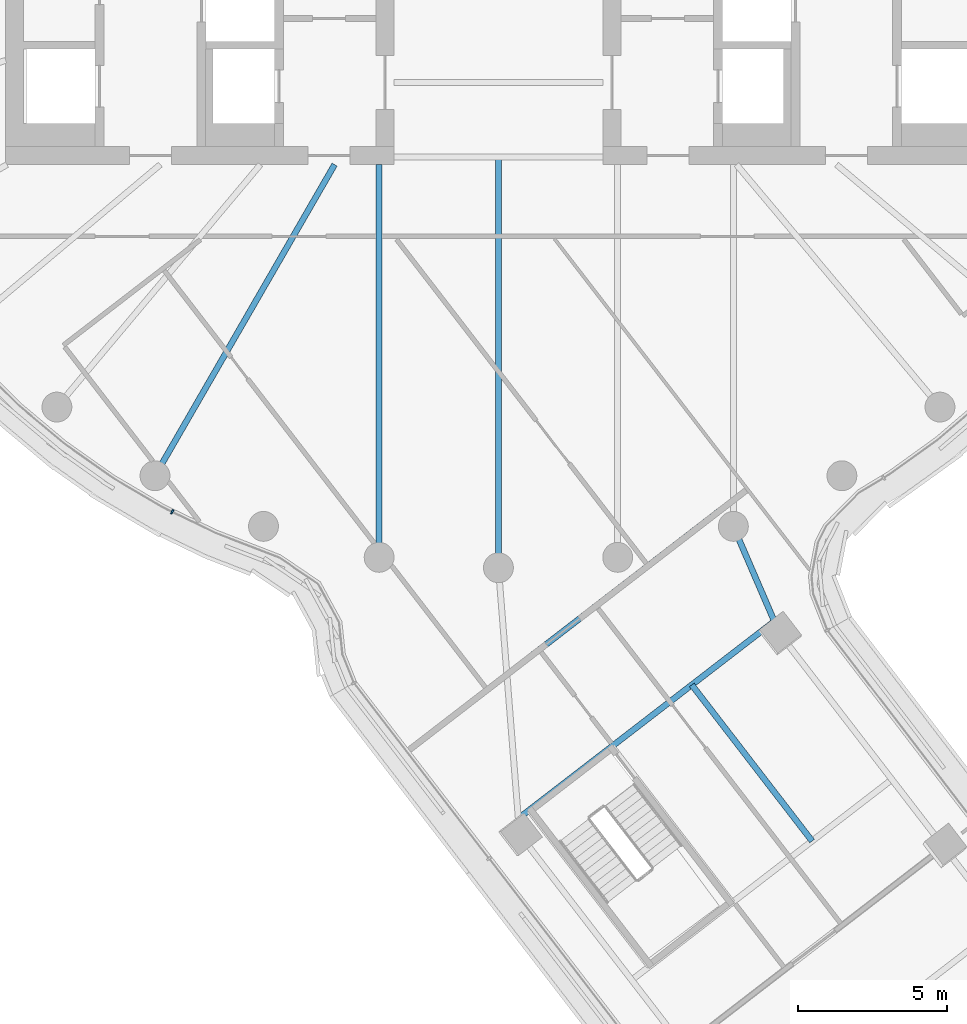
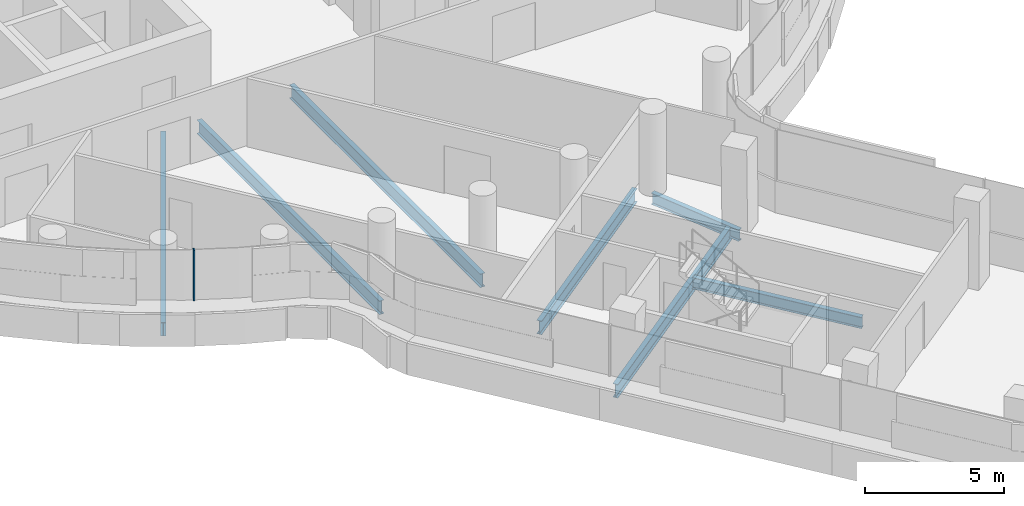
# One storey, part 6 of 33: 7 beams, 1 member, 1 element without a shape of its own.
"""IFC4 building model written with IfcOpenShell, lengths in metres."""

import ifcopenshell
import ifcopenshell.guid

model = None  # the IFC model being written
_history = None  # IfcOwnerHistory: only IFC2X3 demands one
_inside = {}  # id of a spatial element -> (the spatial element, [elements in it])
_under = {}  # id of a project, library or spatial element -> (it, [spatial elements below it])
_declared = {}  # id of a project -> (the project, [libraries it declares])
_typed = {}  # id of a type object -> (the type object, [elements of that type])
_made_of = {}  # id of a material, layer set ... -> (it, [elements and type objects made of it])


def new_model(schema):
    """Start an empty IFC model of exactly this schema.

    Asked for "IFC4X3", IfcOpenShell would pick the latest addendum, in which some entities
    have other attributes; the version numbers below select the first issue.
    IFC2X3 requires an IfcOwnerHistory on every rooted entity: one is made here for all.
    """
    global model, _history
    if schema == "IFC4X3":
        model = ifcopenshell.file(schema_version=(4, 3, 0, 0))
    else:
        model = ifcopenshell.file(schema=schema)
    _inside.clear()
    _under.clear()
    _declared.clear()
    _typed.clear()
    _made_of.clear()
    _history = None
    if model.schema == "IFC2X3":
        org = make("IfcOrganization", Name="unknown")
        user = make(
            "IfcPersonAndOrganization",
            ThePerson=make("IfcPerson", FamilyName="unknown"),
            TheOrganization=org,
        )
        app = make(
            "IfcApplication",
            ApplicationDeveloper=org,
            Version="unknown",
            ApplicationFullName="unknown",
            ApplicationIdentifier="unknown",
        )
        _history = make(
            "IfcOwnerHistory",
            OwningUser=user,
            OwningApplication=app,
            ChangeAction="ADDED",
            CreationDate=0,
        )
    return model


def make(cls, **values):
    """One entity of the class cls with the attributes given. An attribute that is None is left unset."""
    return model.create_entity(
        cls, **{name: value for name, value in values.items() if value is not None}
    )


def rooted(cls, **values):
    """An entity with a GlobalId (a new one), such as an element, a storey or a relation."""
    return make(cls, GlobalId=ifcopenshell.guid.new(), OwnerHistory=_history, **values)


def si_unit(unit_type, name, prefix=None):
    """IfcSIUnit, for example si_unit("LENGTHUNIT", "METRE", prefix="MILLI")."""
    return make("IfcSIUnit", UnitType=unit_type, Prefix=prefix, Name=name)


def assignment(units):
    """IfcUnitAssignment: the units of a project."""
    return None if units is None else make("IfcUnitAssignment", Units=units)


def point(xyz):
    """IfcCartesianPoint."""
    return None if xyz is None else make("IfcCartesianPoint", Coordinates=xyz)


def direction(xyz):
    """IfcDirection."""
    return None if xyz is None else make("IfcDirection", DirectionRatios=xyz)


def frame(location, z_axis=None, x_axis=None):
    """IfcAxis2Placement3D, a coordinate frame: its origin and axes. An axis left out is left unset."""
    return make(
        "IfcAxis2Placement3D",
        Location=point(location),
        Axis=direction(z_axis),
        RefDirection=direction(x_axis),
    )


def frame_2d(location, x_axis=None):
    """IfcAxis2Placement2D, a coordinate frame in the plane: its origin and x axis."""
    return make(
        "IfcAxis2Placement2D", Location=point(location), RefDirection=direction(x_axis)
    )


def origin():
    """The frame at (0, 0, 0) with its axes left unset."""
    return frame((0.0, 0.0, 0.0))


def origin_2d():
    """The frame at (0, 0) in the plane with its x axis left unset."""
    return frame_2d((0.0, 0.0))


def place(relative_to, where):
    """IfcLocalPlacement: puts the frame where relative to a parent placement (None: the world)."""
    return make(
        "IfcLocalPlacement", PlacementRelTo=relative_to, RelativePlacement=where
    )


def context(
    kind, dimensions, precision=None, world=None, true_north=None, identifier=None
):
    """IfcGeometricRepresentationContext, for example the 3D "Model" context."""
    return make(
        "IfcGeometricRepresentationContext",
        ContextIdentifier=identifier,
        ContextType=kind,
        CoordinateSpaceDimension=dimensions,
        Precision=precision,
        WorldCoordinateSystem=world,
        TrueNorth=true_north,
    )


def subcontext(parent, identifier, kind, view, scale=None):
    """IfcGeometricRepresentationSubContext, for example "Body" below "Model"."""
    return make(
        "IfcGeometricRepresentationSubContext",
        ContextIdentifier=identifier,
        ContextType=kind,
        ParentContext=parent,
        TargetScale=scale,
        TargetView=view,
    )


def project(units=None, contexts=None):
    """IfcProject with its units and contexts."""
    return rooted(
        "IfcProject",
        Name="project",
        RepresentationContexts=contexts,
        UnitsInContext=assignment(units),
    )


def spatial(cls, under=None, at=None, **own):
    """A site, building, storey or space (cls), placed at a placement, below another one or the project."""
    s = rooted(cls, ObjectPlacement=at, **own)
    if under is not None:
        _under.setdefault(under.id(), (under, []))[1].append(s)
    return s


def profile(cls, at=None, kind="AREA", **sizes):
    """A parametric profile (cls). Its sizes go by their IFC names, for example OverallWidth=200.0."""
    return make(cls, ProfileType=kind, Position=at, **sizes)


def rectangle(**sizes):
    """IfcRectangleProfileDef."""
    return profile("IfcRectangleProfileDef", **sizes)


def i_section(**sizes):
    """IfcIShapeProfileDef."""
    return profile("IfcIShapeProfileDef", **sizes)


def extrude(swept, where, along, depth):
    """IfcExtrudedAreaSolid: the profile swept, set in the frame where, extruded along a direction by depth."""
    return make(
        "IfcExtrudedAreaSolid",
        SweptArea=swept,
        Position=where,
        ExtrudedDirection=direction(along),
        Depth=depth,
    )


def shape(context_of_items, identifier, shape_type, items):
    """IfcShapeRepresentation: the items that make up one representation, for example the "Body"."""
    return make(
        "IfcShapeRepresentation",
        ContextOfItems=context_of_items,
        RepresentationIdentifier=identifier,
        RepresentationType=shape_type,
        Items=items,
    )


def material(Name=None, Category=None):
    """IfcMaterial."""
    return make("IfcMaterial", Name=Name, Category=Category)


def layer(
    of_material, thickness, ventilated=None, Name=None, Category=None, Priority=None
):
    """IfcMaterialLayer: one layer of a wall or slab, of a material (None: an air gap)."""
    return make(
        "IfcMaterialLayer",
        Material=of_material,
        LayerThickness=thickness,
        IsVentilated=ventilated,
        Name=Name,
        Category=Category,
        Priority=Priority,
    )


def layer_set(layers, Name=None):
    """IfcMaterialLayerSet."""
    return make("IfcMaterialLayerSet", MaterialLayers=layers, LayerSetName=Name)


def material_profile(
    of_material, cross_section, Name=None, Category=None, Priority=None
):
    """IfcMaterialProfile: a cross section and its material."""
    return make(
        "IfcMaterialProfile",
        Name=Name,
        Material=of_material,
        Profile=cross_section,
        Priority=Priority,
        Category=Category,
    )


def profile_set(profiles, Name=None, composite=None):
    """IfcMaterialProfileSet."""
    return make(
        "IfcMaterialProfileSet",
        Name=Name,
        MaterialProfiles=profiles,
        CompositeProfile=composite,
    )


def made_of(thing, what):
    """Note that an element or type object is made of a material, layer set ...; save() writes the relation."""
    if what is not None:
        _made_of.setdefault(what.id(), (what, []))[1].append(thing)
    return thing


def type_object(cls, material=None, **own):
    """A type object (cls), such as IfcWallType, which elements share."""
    return made_of(rooted(cls, **own), material)


def element(
    cls,
    number,
    at=None,
    inside=None,
    cuts=None,
    type_object=None,
    material=None,
    context=None,
    identifier="Body",
    shape_type=None,
    held_by="IfcProductDefinitionShape",
    body=None,
    shapes=None,
    **own,
):
    """One element of the class cls, such as IfcWall. Its Tag is "e" and its number.

    at: its placement. inside: the storey or other place that contains it. cuts: it is an
    opening in that element (IfcRelVoidsElement). A single representation is given by context,
    identifier, shape_type and body (its items); several are given by shapes. held_by: the class
    of the entity that holds the representations. save() writes the other relations.
    """
    e = rooted(cls, Tag="e%d" % number, ObjectPlacement=at, **own)
    if body is not None:
        shapes = [shape(context, identifier, shape_type, body)]
    if shapes is not None:
        e.Representation = make(held_by, Representations=shapes)
    if inside is not None:
        _inside.setdefault(inside.id(), (inside, []))[1].append(e)
    if cuts is not None:
        rooted(
            "IfcRelVoidsElement", RelatingBuildingElement=cuts, RelatedOpeningElement=e
        )
    if type_object is not None:
        _typed.setdefault(type_object.id(), (type_object, []))[1].append(e)
    return made_of(e, material)


def aggregate(whole, parts):
    """IfcRelAggregates: a whole, such as a stair, and the parts it consists of."""
    return rooted("IfcRelAggregates", RelatingObject=whole, RelatedObjects=parts)


def save(model, path):
    """Write the relations noted so far, then the file.

    IfcRelAggregates (storeys below a building ...), IfcRelContainedInSpatialStructure (elements
    in a storey), IfcRelDefinesByType, IfcRelAssociatesMaterial and IfcRelDeclares: one each for
    every whole, place, type object, material and project.
    """
    for whole, parts in _under.values():
        aggregate(whole, parts)
    for where, things in _inside.values():
        rooted(
            "IfcRelContainedInSpatialStructure",
            RelatedElements=things,
            RelatingStructure=where,
        )
    for kind, things in _typed.values():
        rooted("IfcRelDefinesByType", RelatedObjects=things, RelatingType=kind)
    for what, things in _made_of.values():
        rooted("IfcRelAssociatesMaterial", RelatedObjects=things, RelatingMaterial=what)
    for by, libraries in _declared.values():
        rooted("IfcRelDeclares", RelatingContext=by, RelatedDefinitions=libraries)
    model.write(path)


model = new_model("IFC4")

# Units and contexts
model_context = context("Model", 3, precision=1e-05, world=origin(), true_north=direction((0.0, 1.0)))
body_context = subcontext(model_context, "Body", "Model", "MODEL_VIEW")
ifc_project = project(units=[si_unit("LENGTHUNIT", "METRE"), si_unit("AREAUNIT", "SQUARE_METRE"), si_unit("VOLUMEUNIT", "CUBIC_METRE"), si_unit("PLANEANGLEUNIT", "RADIAN"), si_unit("MASSUNIT", "GRAM", prefix="KILO")], contexts=[model_context])

# Site, building, storey
site_placement = place(None, origin())
site = spatial("IfcSite", under=ifc_project, at=site_placement, CompositionType="ELEMENT")
building_placement = place(site_placement, origin())
building = spatial("IfcBuilding", under=site, at=building_placement, Name="Tamarind Cross Interchange Tower", CompositionType="ELEMENT")
storey_placement = place(building_placement, frame((0.0, 0.0, 170.5)))
storey = spatial("IfcBuildingStorey", under=building, at=storey_placement, Name="L42", CompositionType="ELEMENT", Elevation=170.5)

# Beams
ifc_material_1 = material(Name="Steel Q355B", Category="steel")
ifc_material_profile_1 = material_profile(ifc_material_1, i_section(OverallWidth=0.198974609375, OverallDepth=0.49609375, WebThickness=0.009033203125, FlangeThickness=0.013916015625, FilletRadius=0.012939453125, at=origin_2d()), Name="HN 496x199x9x14")
ifc_profile_set_1 = profile_set([ifc_material_profile_1], Name="Steel Q355B")
beam_type_1 = type_object("IfcBeamType", Name="Composite beam HN 496x199x9x14 Q355B", PredefinedType="BEAM", material=ifc_profile_set_1)
beam_1_placement = place(storey_placement, frame((9.422607421875, -25.218017578125, -0.387939453125), z_axis=(-0.396319291582, 0.918112748588, 0.0), x_axis=(-0.918112748588, -0.396319291582, 0.0)))
element("IfcBeam", 1, at=beam_1_placement, inside=storey, type_object=beam_type_1, Name="Beam S-linkep", PredefinedType="BEAM", context=body_context, shape_type="SweptSolid", body=[
    extrude(i_section(OverallWidth=0.198974609375, OverallDepth=0.49609375, WebThickness=0.009033203125, FlangeThickness=0.013916015625, FilletRadius=0.012939453125, at=origin_2d()), origin(), (0.0, 0.0, 1.0), 3.926513671875),
])
beam_2_placement = place(storey_placement, frame((6.474365234375, -26.92138671875, -0.387939453125), z_axis=(0.610313027776, -0.792160342435, 0.0), x_axis=(0.792160342435, 0.610313027776, 0.0)))
element("IfcBeam", 2, at=beam_2_placement, inside=storey, type_object=beam_type_1, Name="Beam S-stripp", PredefinedType="BEAM", context=body_context, shape_type="SweptSolid", body=[
    extrude(i_section(OverallWidth=0.198974609375, OverallDepth=0.49609375, WebThickness=0.009033203125, FlangeThickness=0.013916015625, FilletRadius=0.012939453125, at=origin_2d()), origin(), (0.0, 0.0, 1.0), 6.60009765625),
])
ifc_material_profile_2 = material_profile(ifc_material_1, i_section(OverallWidth=0.198974609375, OverallDepth=0.595947265625, WebThickness=0.010009765625, FlangeThickness=0.014892578125, FilletRadius=0.012939453125, at=origin_2d()), Name="HN 596x199x10x15")
ifc_profile_set_2 = profile_set([ifc_material_profile_2], Name="Steel Q355B")
beam_type_2 = type_object("IfcBeamType", Name="Composite beam HN 596x199x10x15 Q355B", PredefinedType="BEAM", material=ifc_profile_set_2)
beam_3_placement = place(storey_placement, frame((-11.5, -19.918701171875, -0.43798828125), z_axis=(0.499993565836, 0.866029118519, 0.0), x_axis=(-0.866029118519, 0.499993565836, 0.0)))
element("IfcBeam", 3, at=beam_3_placement, inside=storey, type_object=beam_type_2, Name="Beam HH24", PredefinedType="BEAM", context=body_context, shape_type="SweptSolid", body=[
    extrude(i_section(OverallWidth=0.198974609375, OverallDepth=0.595947265625, WebThickness=0.010009765625, FlangeThickness=0.014892578125, FilletRadius=0.012939453125, at=origin_2d()), origin(), (0.0, 0.0, 1.0), 12.030517578125),
])
beam_4_placement = place(storey_placement, frame((-3.993896484375, -22.650634765625, -0.43798828125), z_axis=(0.0, 1.0, 0.0), x_axis=(-1.0, 0.0, 0.0)))
element("IfcBeam", 4, at=beam_4_placement, inside=storey, type_object=beam_type_2, Name="Beam HH26", PredefinedType="BEAM", context=body_context, shape_type="SweptSolid", body=[
    extrude(i_section(OverallWidth=0.198974609375, OverallDepth=0.595947265625, WebThickness=0.010009765625, FlangeThickness=0.014892578125, FilletRadius=0.012939453125, at=origin_2d()), origin(), (0.0, 0.0, 1.0), 13.150634765625),
])
beam_5_placement = place(storey_placement, frame((0.0, -23.0, -0.43798828125), z_axis=(0.0, 1.0, 0.0), x_axis=(-1.0, 0.0, 0.0)))
element("IfcBeam", 5, at=beam_5_placement, inside=storey, type_object=beam_type_2, Name="Beam HH27", PredefinedType="BEAM", context=body_context, shape_type="SweptSolid", body=[
    extrude(i_section(OverallWidth=0.198974609375, OverallDepth=0.595947265625, WebThickness=0.010009765625, FlangeThickness=0.014892578125, FilletRadius=0.012939453125, at=origin_2d()), origin(), (0.0, 0.0, 1.0), 13.75),
])
ifc_material_profile_3 = material_profile(ifc_material_1, i_section(OverallWidth=0.199951171875, OverallDepth=0.60009765625, WebThickness=0.010986328125, FlangeThickness=0.01708984375, FilletRadius=0.012939453125, at=origin_2d()), Name="HN 600x200x11x17")
ifc_profile_set_3 = profile_set([ifc_material_profile_3], Name="Steel Q355B")
beam_type_3 = type_object("IfcBeamType", Name="Composite beam HN 600x200x11x17 Q355B", PredefinedType="BEAM", material=ifc_profile_set_3)
beam_6_placement = place(storey_placement, frame((0.666259765625, -31.396240234375, -0.43994140625), z_axis=(0.792157443291, 0.610316790724, 0.0), x_axis=(-0.610316790724, 0.792157443291, 0.0)))
element("IfcBeam", 6, at=beam_6_placement, inside=storey, type_object=beam_type_3, Name="Beam S-x298", PredefinedType="BEAM", context=body_context, shape_type="SweptSolid", body=[
    extrude(i_section(OverallWidth=0.199951171875, OverallDepth=0.60009765625, WebThickness=0.010986328125, FlangeThickness=0.01708984375, FilletRadius=0.012939453125, at=origin_2d()), origin(), (0.0, 0.0, 1.0), 10.821533203125),
])
beam_7_placement = place(storey_placement, frame((0.283935546875, -26.578369140625, -0.43994140625), z_axis=(0.79214570337, 0.610332028188, 0.0), x_axis=(-0.610332028188, 0.79214570337, 0.0)))
element("IfcBeam", 7, at=beam_7_placement, inside=storey, type_object=beam_type_3, Name="Beam S-x258", PredefinedType="BEAM", context=body_context, shape_type="SweptSolid", body=[
    extrude(i_section(OverallWidth=0.199951171875, OverallDepth=0.60009765625, WebThickness=0.010986328125, FlangeThickness=0.01708984375, FilletRadius=0.012939453125, at=origin_2d()), origin(), (0.0, 0.0, 1.0), 9.037109375),
])

# Curtain wall, member
ifc_material_2 = material(Name="Aluminium 6063-T6", Category="aluminium")
ifc_layer = layer(ifc_material_2, 0.159912109375)
ifc_layer_set = layer_set([ifc_layer], Name="Aluminium 6063-T6")
curtain_wall_type = type_object("IfcCurtainWallType", Name="Office curtain wall, 9.0 m bays", PredefinedType="NOTDEFINED", material=ifc_layer_set)
curtain_wall_placement = place(storey_placement, origin())
curtain_wall = element("IfcCurtainWall", 8, at=curtain_wall_placement, inside=storey, type_object=curtain_wall_type, Name="CWS-L42-10", PredefinedType="NOTDEFINED")
ifc_material_profile_4 = material_profile(ifc_material_2, rectangle(XDim=0.06005859375, YDim=0.159912109375, at=origin_2d()), Name="Mullion CW1")
ifc_profile_set_4 = profile_set([ifc_material_profile_4], Name="Aluminium 6063-T6")
member_type = type_object("IfcMemberType", Name="Mullion CW1", PredefinedType="MULLION", material=ifc_profile_set_4)
member_placement = place(storey_placement, frame((-10.923828125, -21.126953125, 1.39990234375), z_axis=(0.0, 0.0, 1.0), x_axis=(0.900272776334, -0.435326231914, 0.0)))
member = element("IfcMember", 9, at=member_placement, type_object=member_type, Name="CWM-L42-10-02", PredefinedType="MULLION", context=body_context, shape_type="SweptSolid", body=[
    extrude(rectangle(XDim=0.06005859375, YDim=0.159912109375, at=origin_2d()), origin(), (0.0, 0.0, 1.0), 2.210205078125),
])
aggregate(curtain_wall, [member])

save(model, "model.ifc")
